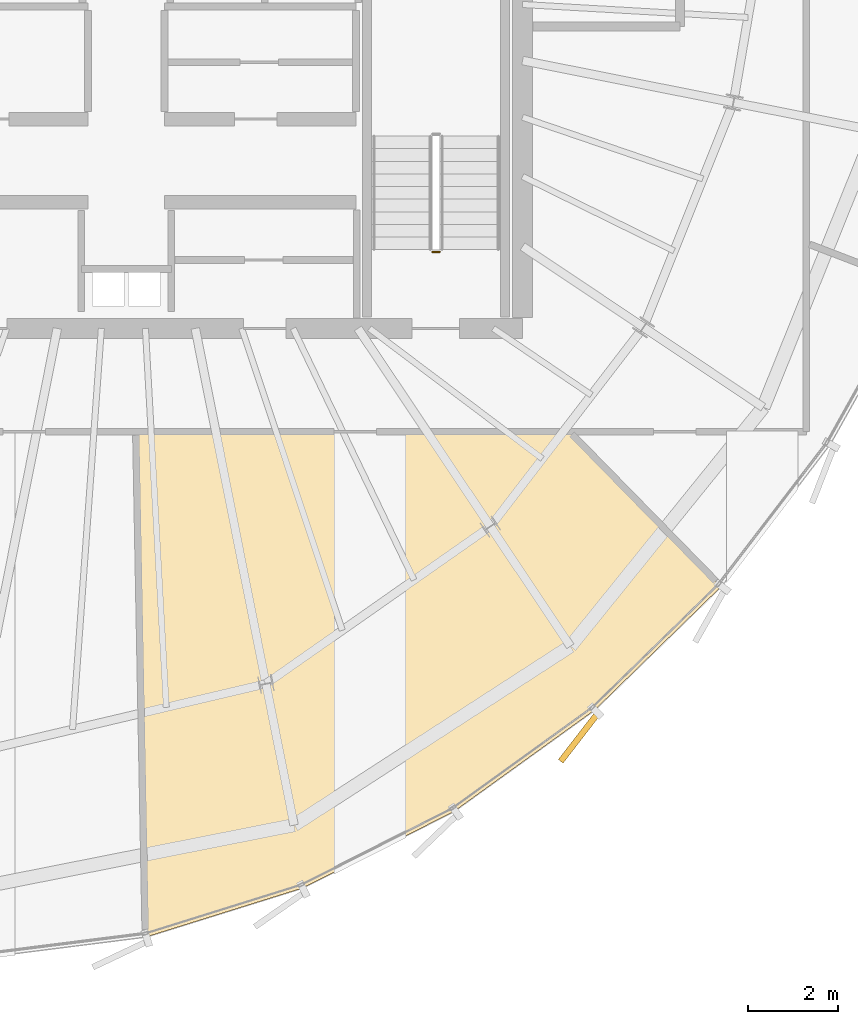
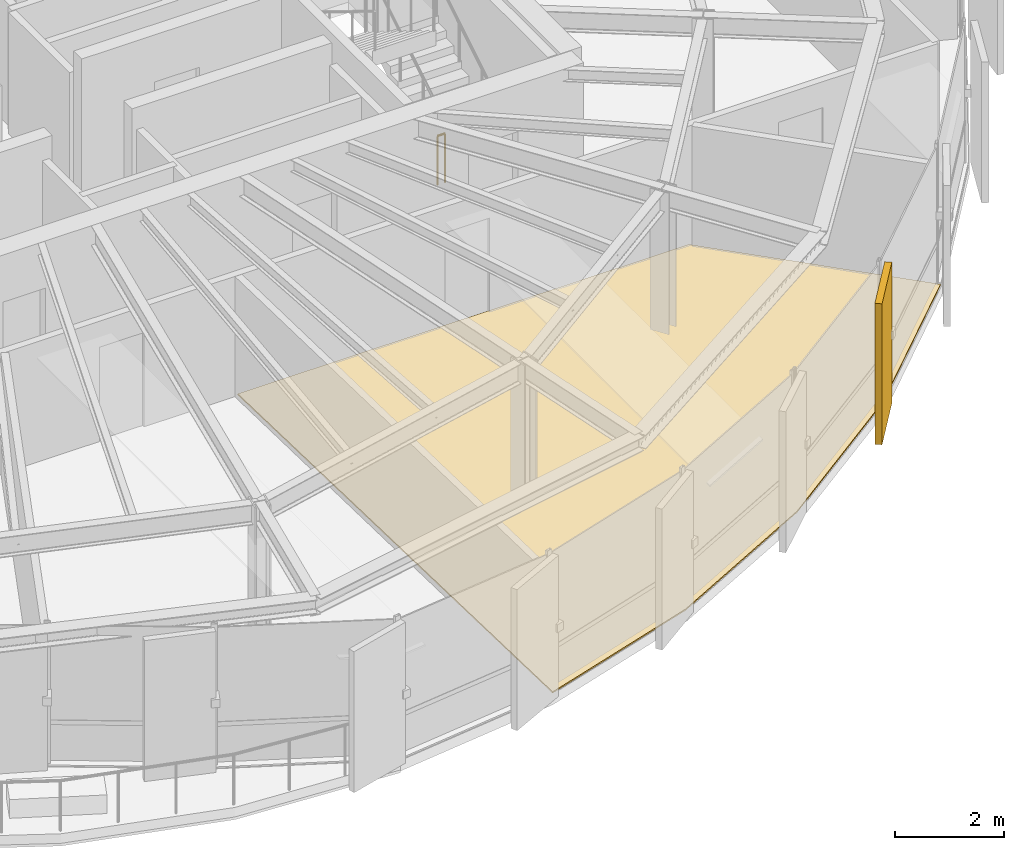
# One storey, part 31 of 34: 2 coverings, 1 railing.
"""IFC4 building model written with IfcOpenShell, lengths in metres."""

from ifc_helpers import new_model, si_unit, direction, frame, origin, origin_2d, place, context, subcontext, project, spatial, polyline, rectangle, circle, outline, extrude, source, transform, mapped, material, layer, layer_set, type_object, element, save


model = new_model("IFC4")

# Units and contexts
model_context = context("Model", 3, precision=1e-05, world=origin(), true_north=direction((0.0, 1.0)))
body_context = subcontext(model_context, "Body", "Model", "MODEL_VIEW")
ifc_project = project(units=[si_unit("LENGTHUNIT", "METRE"), si_unit("AREAUNIT", "SQUARE_METRE"), si_unit("VOLUMEUNIT", "CUBIC_METRE"), si_unit("PLANEANGLEUNIT", "RADIAN"), si_unit("MASSUNIT", "GRAM", prefix="KILO"), si_unit("THERMODYNAMICTEMPERATUREUNIT", "KELVIN")], contexts=[model_context])

# Site, building, storey
site_placement = place(None, origin())
site = spatial("IfcSite", under=ifc_project, at=site_placement, CompositionType="ELEMENT")
building_placement = place(site_placement, origin())
building = spatial("IfcBuilding", under=site, at=building_placement, Name="Kethvar Cultural Tower", CompositionType="ELEMENT")
storey_placement = place(building_placement, frame((0.0, 0.0, 262.89990234375)))
storey = spatial("IfcBuildingStorey", under=building, at=storey_placement, Name="L69", CompositionType="ELEMENT", Elevation=262.89990234375)

# Covering
ifc_material_1 = material(Name="Honed Warm Limestone", Category="masonry")
ifc_layer_1 = layer(ifc_material_1, 0.030029296875, Name="Honed Warm Limestone", Category="masonry")
ifc_layer_set_1 = layer_set([ifc_layer_1], Name="Honed Warm Limestone (30 mm)")
covering_type_1 = type_object("IfcCoveringType", Name="CV-STONE-FLOOR", PredefinedType="FLOORING", material=ifc_layer_set_1)
covering_1_placement = place(storey_placement, origin())
element("IfcCovering", 1, at=covering_1_placement, inside=storey, type_object=covering_type_1, Name="L69 Room 03 Floor Finish", PredefinedType="FLOORING", context=body_context, shape_type="SweptSolid", body=[
    extrude(outline(polyline([(57.204345703125, 11.625732421875), (54.07275390625, 9.368896484375), (50.72021484375, 7.672119140625), (47.272705078125, 6.5947265625), (47.03369140625, 17.787109375), (56.632568359375, 17.787109375), (60.00634765625, 14.361083984375), (57.204345703125, 11.625732421875)])), origin(), (0.0, 0.0, 1.0), 0.030029296875),
])

# Railing
ifc_material_2 = material(Name="Steel S355J2", Category="steel")
railing_type = type_object("IfcRailingType", Name="RL-STAIR-GUARD", PredefinedType="BALUSTRADE", material=ifc_material_2)
railing_placement = place(storey_placement, frame((53.760009765625, 21.800048828125, 0.0)))
element("IfcRailing", 2, at=railing_placement, inside=storey, type_object=railing_type, Name="L69 ST-02 stair guard 4", PredefinedType="BALUSTRADE", context=body_context, shape_type="SweptSolid", body=[
    extrude(circle(Radius=0.02392578125, at=origin_2d()), frame((0.0, 0.0, 1.09619140625), z_axis=(-1.0, 0.0, 0.0), x_axis=(0.0, -1.0, 0.0)), (0.0, 0.0, 1.0), 0.159912109375),
    extrude(circle(Radius=0.02099609375, at=origin_2d()), origin(), (0.0, 0.0, 1.0), 1.072021484375),
    extrude(circle(Radius=0.02099609375, at=origin_2d()), frame((-0.159912109375, 0.0, 0.0)), (0.0, 0.0, 1.0), 1.072021484375),
])

# Covering
ifc_material_3 = material(Name="Extruded Architectural Terracotta", Category="masonry")
ifc_layer_2 = layer(ifc_material_3, 0.135009765625, Name="Extruded Architectural Terracotta", Category="masonry")
ifc_layer_set_2 = layer_set([ifc_layer_2], Name="Extruded Architectural Terracotta (135 mm)")
covering_type_2 = type_object("IfcCoveringType", Name="Terracotta Facade Fin FIN-03", PredefinedType="CLADDING", material=ifc_layer_set_2)
shared_shape = source(origin(), body_context, "Body", "SweptSolid", [
    extrude(rectangle(XDim=1.35009765625, YDim=0.135009765625, at=origin_2d()), origin(), (0.0, 0.0, 1.0), 3.169921875),
])
covering_2_placement = place(storey_placement, frame((56.8603515625, 11.01904296875, 0.02001953125), z_axis=(0.0, 0.0, 1.0), x_axis=(-0.611388936315, -0.791330252519, 0.0)))
element("IfcCovering", 3, at=covering_2_placement, inside=storey, type_object=covering_type_2, Name="L69 Vertical Terracotta Fin 5.2", PredefinedType="CLADDING", context=body_context, shape_type="MappedRepresentation", body=[
    mapped(shared_shape, transform((0.0, 0.0, 0.0), scale=1.0)),
])

save(model, "model.ifc")
